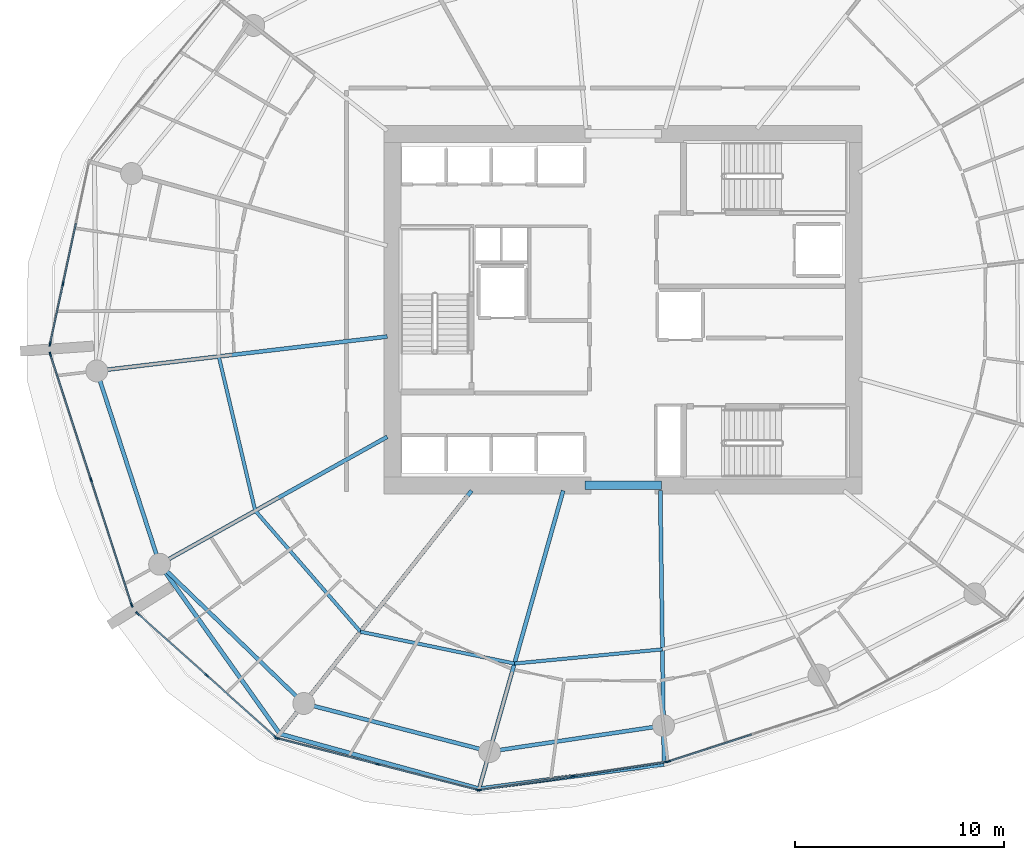
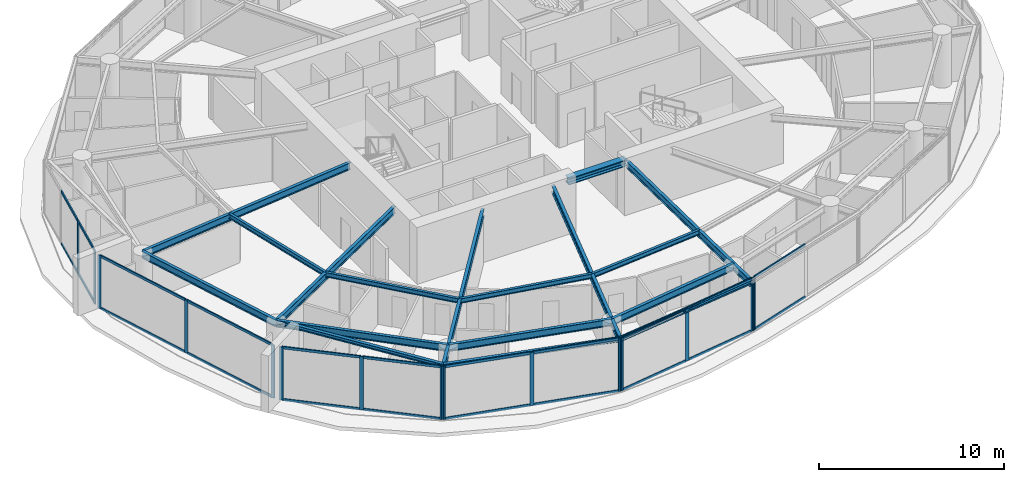
# One storey, part 5 of 17: 37 members, 17 beams, 6 elements without a shape of their own.
"""IFC4 building model written with IfcOpenShell, lengths in metres."""

from ifc_helpers import new_model, si_unit, direction, frame, origin, origin_2d, place, context, subcontext, project, spatial, rectangle, i_section, extrude, material, layer, layer_set, material_profile, profile_set, type_object, element, aggregate, save


model = new_model("IFC4")

# Units and contexts
model_context = context("Model", 3, precision=1e-05, world=origin(), true_north=direction((0.0, 1.0)))
body_context = subcontext(model_context, "Body", "Model", "MODEL_VIEW")
ifc_project = project(units=[si_unit("LENGTHUNIT", "METRE"), si_unit("AREAUNIT", "SQUARE_METRE"), si_unit("VOLUMEUNIT", "CUBIC_METRE"), si_unit("PLANEANGLEUNIT", "RADIAN"), si_unit("MASSUNIT", "GRAM", prefix="KILO")], contexts=[model_context])

# Site, building, storey
site_placement = place(None, origin())
site = spatial("IfcSite", under=ifc_project, at=site_placement, CompositionType="ELEMENT")
building_placement = place(site_placement, origin())
building = spatial("IfcBuilding", under=site, at=building_placement, Name="Kazma Halo Residences", CompositionType="ELEMENT")
storey_placement = place(building_placement, frame((0.0, 0.0, 127.800048828125)))
storey = spatial("IfcBuildingStorey", under=building, at=storey_placement, Name="L31", CompositionType="ELEMENT", Elevation=127.800048828125)

# Beams
ifc_material_1 = material(Name="Steel S355", Category="steel")
ifc_material_profile_1 = material_profile(ifc_material_1, i_section(OverallWidth=0.201904296875, OverallDepth=0.2470703125, WebThickness=0.00732421875, FlangeThickness=0.010986328125, FilletRadius=0.011962890625, at=origin_2d()), Name="W250x49.1")
ifc_profile_set_1 = profile_set([ifc_material_profile_1], Name="Steel S355")
beam_type_1 = type_object("IfcBeamType", Name="BM-BAL-CANT", PredefinedType="BEAM", material=ifc_profile_set_1)
beam_1_placement = place(storey_placement, frame((26.269775390625, 29.83056640625, 3.37646484375), z_axis=(0.578203432081, -0.81589263456, 0.0), x_axis=(0.81589263456, 0.578203432081, 0.0)))
element("IfcBeam", 1, at=beam_1_placement, inside=storey, type_object=beam_type_1, Name="L31 wave-balcony lead tie beam 09", PredefinedType="BEAM", context=body_context, shape_type="SweptSolid", body=[
    extrude(i_section(OverallWidth=0.201904296875, OverallDepth=0.2470703125, WebThickness=0.00732421875, FlangeThickness=0.010986328125, FilletRadius=0.011962890625, at=origin_2d()), origin(), (0.0, 0.0, 1.0), 9.9365234375),
])
beam_2_placement = place(storey_placement, frame((32.01513671875, 21.723388671875, 3.37646484375), z_axis=(0.964045237638, -0.265738179019, 0.0), x_axis=(0.265738179019, 0.964045237638, 0.0)))
element("IfcBeam", 2, at=beam_2_placement, inside=storey, type_object=beam_type_1, Name="L31 wave-balcony tie beam 10", PredefinedType="BEAM", context=body_context, shape_type="SweptSolid", body=[
    extrude(i_section(OverallWidth=0.201904296875, OverallDepth=0.2470703125, WebThickness=0.00732421875, FlangeThickness=0.010986328125, FilletRadius=0.011962890625, at=origin_2d()), origin(), (0.0, 0.0, 1.0), 9.880859375),
])
beam_3_placement = place(storey_placement, frame((41.540771484375, 19.09765625, 3.37646484375), z_axis=(0.991326402839, 0.13142284061, 0.0), x_axis=(-0.13142284061, 0.991326402839, 0.0)))
element("IfcBeam", 3, at=beam_3_placement, inside=storey, type_object=beam_type_1, Name="L31 wave-balcony tie beam 11", PredefinedType="BEAM", context=body_context, shape_type="SweptSolid", body=[
    extrude(i_section(OverallWidth=0.201904296875, OverallDepth=0.2470703125, WebThickness=0.00732421875, FlangeThickness=0.010986328125, FilletRadius=0.011962890625, at=origin_2d()), origin(), (0.0, 0.0, 1.0), 8.9150390625),
])
ifc_material_profile_2 = material_profile(ifc_material_1, i_section(OverallWidth=0.408935546875, OverallDepth=0.425048828125, WebThickness=0.03271484375, FlangeThickness=0.052490234375, FilletRadius=0.02001953125, at=origin_2d()), Name="W360x421")
ifc_profile_set_2 = profile_set([ifc_material_profile_2], Name="Steel S355")
beam_type_2 = type_object("IfcBeamType", Name="BM-CORE-W360H", PredefinedType="BEAM", material=ifc_profile_set_2)
beam_4_placement = place(storey_placement, frame((46.60009765625, 33.60009765625, 3.287353515625), z_axis=(1.0, 0.0, 0.0), x_axis=(0.0, 1.0, 0.0)))
element("IfcBeam", 4, at=beam_4_placement, inside=storey, type_object=beam_type_2, Name="L31 core coupling beam S", PredefinedType="BEAM", context=body_context, shape_type="SweptSolid", body=[
    extrude(i_section(OverallWidth=0.408935546875, OverallDepth=0.425048828125, WebThickness=0.03271484375, FlangeThickness=0.052490234375, FilletRadius=0.02001953125, at=origin_2d()), origin(), (0.0, 0.0, 1.0), 3.64990234375),
])
ifc_material_profile_3 = material_profile(ifc_material_1, i_section(OverallWidth=0.18994140625, OverallDepth=0.45703125, WebThickness=0.009033203125, FlangeThickness=0.014404296875, FilletRadius=0.01611328125, at=origin_2d()), Name="W460x74")
ifc_profile_set_3 = profile_set([ifc_material_profile_3], Name="Steel S355")
beam_type_3 = type_object("IfcBeamType", Name="BM-RAD-W460", PredefinedType="BEAM", material=ifc_profile_set_3)
beam_5_placement = place(storey_placement, frame((37.14990234375, 40.7158203125, 3.271484375), z_axis=(-0.993067267044, -0.117547450531, 0.0), x_axis=(0.117547450531, -0.993067267044, 0.0)))
element("IfcBeam", 5, at=beam_5_placement, inside=storey, type_object=beam_type_3, Name="L31 radial floor beam 08", PredefinedType="BEAM", context=body_context, shape_type="SweptSolid", body=[
    extrude(i_section(OverallWidth=0.18994140625, OverallDepth=0.45703125, WebThickness=0.009033203125, FlangeThickness=0.014404296875, FilletRadius=0.01611328125, at=origin_2d()), origin(), (0.0, 0.0, 1.0), 13.97998046875),
])
beam_6_placement = place(storey_placement, frame((37.14990234375, 35.923583984375, 3.271484375), z_axis=(-0.87250100809, -0.488612311431, 0.0), x_axis=(0.488612311431, -0.87250100809, 0.0)))
element("IfcBeam", 6, at=beam_6_placement, inside=storey, type_object=beam_type_3, Name="L31 radial floor beam 09", PredefinedType="BEAM", context=body_context, shape_type="SweptSolid", body=[
    extrude(i_section(OverallWidth=0.18994140625, OverallDepth=0.45703125, WebThickness=0.009033203125, FlangeThickness=0.014404296875, FilletRadius=0.01611328125, at=origin_2d()), origin(), (0.0, 0.0, 1.0), 12.469970703125),
])
beam_7_placement = place(storey_placement, frame((41.180908203125, 33.35009765625, 3.271484375), z_axis=(-0.619094498239, -0.785316498139, 0.0), x_axis=(0.785316498139, -0.619094498239, 0.0)))
element("IfcBeam", 7, at=beam_7_placement, inside=storey, type_object=beam_type_3, Name="L31 radial floor beam 10", PredefinedType="BEAM", context=body_context, shape_type="SweptSolid", body=[
    extrude(i_section(OverallWidth=0.18994140625, OverallDepth=0.45703125, WebThickness=0.009033203125, FlangeThickness=0.014404296875, FilletRadius=0.01611328125, at=origin_2d()), origin(), (0.0, 0.0, 1.0), 14.80517578125),
])
beam_8_placement = place(storey_placement, frame((45.560302734375, 33.35009765625, 3.271484375), z_axis=(-0.271435886816, -0.962456523355, 0.0), x_axis=(0.962456523355, -0.271435886816, 0.0)))
element("IfcBeam", 8, at=beam_8_placement, inside=storey, type_object=beam_type_3, Name="L31 radial floor beam 11", PredefinedType="BEAM", context=body_context, shape_type="SweptSolid", body=[
    extrude(i_section(OverallWidth=0.18994140625, OverallDepth=0.45703125, WebThickness=0.009033203125, FlangeThickness=0.014404296875, FilletRadius=0.01611328125, at=origin_2d()), origin(), (0.0, 0.0, 1.0), 14.808349609375),
])
beam_9_placement = place(storey_placement, frame((50.199951171875, 33.35009765625, 3.271484375), z_axis=(0.013642135434, -0.99990694174, 0.0), x_axis=(0.99990694174, 0.013642135434, 0.0)))
element("IfcBeam", 9, at=beam_9_placement, inside=storey, type_object=beam_type_3, Name="L31 radial floor beam 12", PredefinedType="BEAM", context=body_context, shape_type="SweptSolid", body=[
    extrude(i_section(OverallWidth=0.18994140625, OverallDepth=0.45703125, WebThickness=0.009033203125, FlangeThickness=0.014404296875, FilletRadius=0.01611328125, at=origin_2d()), origin(), (0.0, 0.0, 1.0), 13.08203125),
])
ifc_material_profile_4 = material_profile(ifc_material_1, i_section(OverallWidth=0.1650390625, OverallDepth=0.31005859375, WebThickness=0.005859375, FlangeThickness=0.009765625, FilletRadius=0.011962890625, at=origin_2d()), Name="W310x38.7")
ifc_profile_set_4 = profile_set([ifc_material_profile_4], Name="Steel S355")
beam_type_4 = type_object("IfcBeamType", Name="BM-SEC-W310B", PredefinedType="JOIST", material=ifc_profile_set_4)
beam_10_placement = place(storey_placement, frame((29.09765625, 39.7626953125, 3.344970703125), z_axis=(0.229897820601, -0.973214771817, 0.0), x_axis=(0.973214771817, 0.229897820601, 0.0)))
element("IfcBeam", 10, at=beam_10_placement, inside=storey, type_object=beam_type_4, Name="L31 circumferential floor joist 08", PredefinedType="JOIST", context=body_context, shape_type="SweptSolid", body=[
    extrude(i_section(OverallWidth=0.1650390625, OverallDepth=0.31005859375, WebThickness=0.005859375, FlangeThickness=0.009765625, FilletRadius=0.011962890625, at=origin_2d()), origin(), (0.0, 0.0, 1.0), 7.575927734375),
])
beam_11_placement = place(storey_placement, frame((30.83935546875, 32.3896484375, 3.344970703125), z_axis=(0.655935687589, -0.754816781575, 0.0), x_axis=(0.754816781575, 0.655935687589, 0.0)))
element("IfcBeam", 11, at=beam_11_placement, inside=storey, type_object=beam_type_4, Name="L31 circumferential floor joist 09", PredefinedType="JOIST", context=body_context, shape_type="SweptSolid", body=[
    extrude(i_section(OverallWidth=0.1650390625, OverallDepth=0.31005859375, WebThickness=0.005859375, FlangeThickness=0.009765625, FilletRadius=0.011962890625, at=origin_2d()), origin(), (0.0, 0.0, 1.0), 7.661376953125),
])
beam_12_placement = place(storey_placement, frame((35.86474609375, 26.606689453125, 3.344970703125), z_axis=(0.979272189631, -0.202548706773, 0.0), x_axis=(0.202548706773, 0.979272189631, 0.0)))
element("IfcBeam", 12, at=beam_12_placement, inside=storey, type_object=beam_type_4, Name="L31 circumferential floor joist 10", PredefinedType="JOIST", context=body_context, shape_type="SweptSolid", body=[
    extrude(i_section(OverallWidth=0.1650390625, OverallDepth=0.31005859375, WebThickness=0.005859375, FlangeThickness=0.009765625, FilletRadius=0.011962890625, at=origin_2d()), origin(), (0.0, 0.0, 1.0), 7.52001953125),
])
beam_13_placement = place(storey_placement, frame((43.22900390625, 25.08349609375, 3.344970703125), z_axis=(0.995416389983, 0.095635822539, 0.0), x_axis=(-0.095635822539, 0.995416389983, 0.0)))
element("IfcBeam", 13, at=beam_13_placement, inside=storey, type_object=beam_type_4, Name="L31 circumferential floor joist 11", PredefinedType="JOIST", context=body_context, shape_type="SweptSolid", body=[
    extrude(i_section(OverallWidth=0.1650390625, OverallDepth=0.31005859375, WebThickness=0.005859375, FlangeThickness=0.009765625, FilletRadius=0.011962890625, at=origin_2d()), origin(), (0.0, 0.0, 1.0), 7.10693359375),
])
ifc_material_profile_5 = material_profile(ifc_material_1, i_section(OverallWidth=0.18994140625, OverallDepth=0.45703125, WebThickness=0.009033203125, FlangeThickness=0.014404296875, FilletRadius=0.01611328125, at=origin_2d()), Name="W460x74")
ifc_profile_set_5 = profile_set([ifc_material_profile_5], Name="Steel S355")
beam_type_5 = type_object("IfcBeamType", Name="BM-SPN-W460", PredefinedType="BEAM", material=ifc_profile_set_5)
beam_14_placement = place(storey_placement, frame((23.266845703125, 39.072509765625, 3.271484375), z_axis=(0.309020741629, -0.95105529873, 0.0), x_axis=(0.95105529873, 0.309020741629, 0.0)))
element("IfcBeam", 14, at=beam_14_placement, inside=storey, type_object=beam_type_5, Name="L31 perimeter ring beam 08", PredefinedType="BEAM", context=body_context, shape_type="SweptSolid", body=[
    extrude(i_section(OverallWidth=0.18994140625, OverallDepth=0.45703125, WebThickness=0.009033203125, FlangeThickness=0.014404296875, FilletRadius=0.01611328125, at=origin_2d()), origin(), (0.0, 0.0, 1.0), 9.717529296875),
])
beam_15_placement = place(storey_placement, frame((26.269775390625, 29.83056640625, 3.271484375), z_axis=(0.719334705845, -0.694663645923, 0.0), x_axis=(0.694663645923, 0.719334705845, 0.0)))
element("IfcBeam", 15, at=beam_15_placement, inside=storey, type_object=beam_type_5, Name="L31 perimeter ring beam 09", PredefinedType="BEAM", context=body_context, shape_type="SweptSolid", body=[
    extrude(i_section(OverallWidth=0.18994140625, OverallDepth=0.45703125, WebThickness=0.009033203125, FlangeThickness=0.014404296875, FilletRadius=0.01611328125, at=origin_2d()), origin(), (0.0, 0.0, 1.0), 9.5791015625),
])
beam_16_placement = place(storey_placement, frame((33.160400390625, 23.17626953125, 3.271484375), z_axis=(0.968123664213, -0.250472694699, 0.0), x_axis=(0.250472694699, 0.968123664213, 0.0)))
element("IfcBeam", 16, at=beam_16_placement, inside=storey, type_object=beam_type_5, Name="L31 perimeter ring beam 10", PredefinedType="BEAM", context=body_context, shape_type="SweptSolid", body=[
    extrude(i_section(OverallWidth=0.18994140625, OverallDepth=0.45703125, WebThickness=0.009033203125, FlangeThickness=0.014404296875, FilletRadius=0.01611328125, at=origin_2d()), origin(), (0.0, 0.0, 1.0), 9.175048828125),
])
beam_17_placement = place(storey_placement, frame((42.04296875, 20.878173828125, 3.271484375), z_axis=(0.989037147603, 0.147666924735, 0.0), x_axis=(-0.147666924735, 0.989037147603, 0.0)))
element("IfcBeam", 17, at=beam_17_placement, inside=storey, type_object=beam_type_5, Name="L31 perimeter ring beam 11", PredefinedType="BEAM", context=body_context, shape_type="SweptSolid", body=[
    extrude(i_section(OverallWidth=0.18994140625, OverallDepth=0.45703125, WebThickness=0.009033203125, FlangeThickness=0.014404296875, FilletRadius=0.01611328125, at=origin_2d()), origin(), (0.0, 0.0, 1.0), 8.402099609375),
])

# Curtain wall, members
ifc_material_2 = material(Name="Aluminium AW-6063 T6 and Triple-Silver Low-E Glass", Category="aluminium")
ifc_layer = layer(ifc_material_2, 0.219970703125)
ifc_layer_set = layer_set([ifc_layer], Name="Aluminium AW-6063 T6 and Triple-Silver Low-E Glass")
curtain_wall_type = type_object("IfcCurtainWallType", Name="CW-SYS-4", PredefinedType="NOTDEFINED", material=ifc_layer_set)
curtain_wall_1_placement = place(storey_placement, origin())
curtain_wall_1 = element("IfcCurtainWall", 18, at=curtain_wall_1_placement, inside=storey, type_object=curtain_wall_type, Name="L31 unitised curtain wall B07", PredefinedType="NOTDEFINED")
ifc_material_3 = material(Name="Aluminium AW-6063 T6", Category="aluminium")
ifc_material_profile_6 = material_profile(ifc_material_3, rectangle(XDim=0.074951171875, YDim=0.219970703125, at=origin_2d()), Name="CWM-75x220")
ifc_profile_set_6 = profile_set([ifc_material_profile_6], Name="Aluminium AW-6063 T6")
member_type_1 = type_object("IfcMemberType", Name="CW-SYS-4-MUL", PredefinedType="MULLION", material=ifc_profile_set_6)
member_1_placement = place(storey_placement, frame((21.6513671875, 43.24365234375, 0.0), z_axis=(0.0, 0.0, 1.0), x_axis=(0.977764957684, -0.209703809037, 0.0)))
member_1 = element("IfcMember", 19, at=member_1_placement, type_object=member_type_1, Name="CWS-4 mullion 3", PredefinedType="MULLION", context=body_context, shape_type="SweptSolid", body=[
    extrude(rectangle(XDim=0.074951171875, YDim=0.219970703125, at=origin_2d()), origin(), (0.0, 0.0, 1.0), 3.5),
])
member_2_placement = place(storey_placement, frame((21.033447265625, 40.36328125, 0.0), z_axis=(0.0, 0.0, 1.0), x_axis=(0.977764957684, -0.209703809037, 0.0)))
member_2 = element("IfcMember", 20, at=member_2_placement, type_object=member_type_1, Name="CWS-4 mullion 4", PredefinedType="MULLION", context=body_context, shape_type="SweptSolid", body=[
    extrude(rectangle(XDim=0.074951171875, YDim=0.219970703125, at=origin_2d()), origin(), (0.0, 0.0, 1.0), 3.5),
])

curtain_wall_2_placement = place(storey_placement, origin())
curtain_wall_2 = element("IfcCurtainWall", 21, at=curtain_wall_2_placement, inside=storey, type_object=curtain_wall_type, Name="L31 unitised curtain wall B08", PredefinedType="NOTDEFINED")
member_3_placement = place(storey_placement, frame((21.044189453125, 39.86572265625, 0.0), z_axis=(0.0, 0.0, 1.0), x_axis=(0.951057547609, 0.3090138203, 0.0)))
member_3 = element("IfcMember", 22, at=member_3_placement, type_object=member_type_1, Name="CWS-4 mullion 1", PredefinedType="MULLION", context=body_context, shape_type="SweptSolid", body=[
    extrude(rectangle(XDim=0.074951171875, YDim=0.219970703125, at=origin_2d()), origin(), (0.0, 0.0, 1.0), 3.5),
])
member_4_placement = place(storey_placement, frame((22.990966796875, 33.8740234375, 0.0), z_axis=(0.0, 0.0, 1.0), x_axis=(0.951057547609, 0.3090138203, 0.0)))
member_4 = element("IfcMember", 23, at=member_4_placement, type_object=member_type_1, Name="CWS-4 mullion 2", PredefinedType="MULLION", context=body_context, shape_type="SweptSolid", body=[
    extrude(rectangle(XDim=0.074951171875, YDim=0.219970703125, at=origin_2d()), origin(), (0.0, 0.0, 1.0), 3.5),
])
member_5_placement = place(storey_placement, frame((24.937744140625, 27.882568359375, 0.0), z_axis=(0.0, 0.0, 1.0), x_axis=(0.951057547609, 0.3090138203, 0.0)))
member_5 = element("IfcMember", 24, at=member_5_placement, type_object=member_type_1, Name="CWS-4 mullion 3", PredefinedType="MULLION", context=body_context, shape_type="SweptSolid", body=[
    extrude(rectangle(XDim=0.074951171875, YDim=0.219970703125, at=origin_2d()), origin(), (0.0, 0.0, 1.0), 3.5),
])

curtain_wall_3_placement = place(storey_placement, origin())
curtain_wall_3 = element("IfcCurtainWall", 25, at=curtain_wall_3_placement, inside=storey, type_object=curtain_wall_type, Name="L31 unitised curtain wall B09", PredefinedType="NOTDEFINED")
member_6_placement = place(storey_placement, frame((25.221435546875, 27.4736328125, 0.0), z_axis=(0.0, 0.0, 1.0), x_axis=(0.667770096247, 0.744367582957, 0.0)))
member_6 = element("IfcMember", 26, at=member_6_placement, type_object=member_type_1, Name="CWS-4 mullion 1", PredefinedType="MULLION", context=body_context, shape_type="SweptSolid", body=[
    extrude(rectangle(XDim=0.074951171875, YDim=0.219970703125, at=origin_2d()), origin(), (0.0, 0.0, 1.0), 3.5),
])
member_7_placement = place(storey_placement, frame((28.52490234375, 24.51025390625, 0.0), z_axis=(0.0, 0.0, 1.0), x_axis=(0.667770096247, 0.744367582957, 0.0)))
member_7 = element("IfcMember", 27, at=member_7_placement, type_object=member_type_1, Name="CWS-4 mullion 2", PredefinedType="MULLION", context=body_context, shape_type="SweptSolid", body=[
    extrude(rectangle(XDim=0.074951171875, YDim=0.219970703125, at=origin_2d()), origin(), (0.0, 0.0, 1.0), 3.5),
])
member_8_placement = place(storey_placement, frame((31.828369140625, 21.546630859375, 0.0), z_axis=(0.0, 0.0, 1.0), x_axis=(0.667770096247, 0.744367582957, 0.0)))
member_8 = element("IfcMember", 28, at=member_8_placement, type_object=member_type_1, Name="CWS-4 mullion 3", PredefinedType="MULLION", context=body_context, shape_type="SweptSolid", body=[
    extrude(rectangle(XDim=0.074951171875, YDim=0.219970703125, at=origin_2d()), origin(), (0.0, 0.0, 1.0), 3.5),
])

curtain_wall_4_placement = place(storey_placement, origin())
curtain_wall_4 = element("IfcCurtainWall", 29, at=curtain_wall_4_placement, inside=storey, type_object=curtain_wall_type, Name="L31 unitised curtain wall B10", PredefinedType="NOTDEFINED")
member_9_placement = place(storey_placement, frame((31.892578125, 21.512451171875, 0.0), z_axis=(0.0, 0.0, 1.0), x_axis=(0.249478648955, 0.968380299116, 0.0)))
member_9 = element("IfcMember", 30, at=member_9_placement, type_object=member_type_1, Name="CWS-4 mullion 1", PredefinedType="MULLION", context=body_context, shape_type="SweptSolid", body=[
    extrude(rectangle(XDim=0.074951171875, YDim=0.219970703125, at=origin_2d()), origin(), (0.0, 0.0, 1.0), 3.5),
])
member_10_placement = place(storey_placement, frame((36.689208984375, 20.276611328125, 0.0), z_axis=(0.0, 0.0, 1.0), x_axis=(0.249478648955, 0.968380299116, 0.0)))
member_10 = element("IfcMember", 31, at=member_10_placement, type_object=member_type_1, Name="CWS-4 mullion 2", PredefinedType="MULLION", context=body_context, shape_type="SweptSolid", body=[
    extrude(rectangle(XDim=0.074951171875, YDim=0.219970703125, at=origin_2d()), origin(), (0.0, 0.0, 1.0), 3.5),
])
member_11_placement = place(storey_placement, frame((41.48583984375, 19.040771484375, 0.0), z_axis=(0.0, 0.0, 1.0), x_axis=(0.249478648955, 0.968380299116, 0.0)))
member_11 = element("IfcMember", 32, at=member_11_placement, type_object=member_type_1, Name="CWS-4 mullion 3", PredefinedType="MULLION", context=body_context, shape_type="SweptSolid", body=[
    extrude(rectangle(XDim=0.074951171875, YDim=0.219970703125, at=origin_2d()), origin(), (0.0, 0.0, 1.0), 3.5),
])

curtain_wall_5_placement = place(storey_placement, origin())
curtain_wall_5 = element("IfcCurtainWall", 33, at=curtain_wall_5_placement, inside=storey, type_object=curtain_wall_type, Name="L31 unitised curtain wall B11", PredefinedType="NOTDEFINED")
member_12_placement = place(storey_placement, frame((41.559326171875, 19.037109375, 0.0), z_axis=(0.0, 0.0, 1.0), x_axis=(-0.148821022686, 0.988864148004, 0.0)))
member_12 = element("IfcMember", 34, at=member_12_placement, type_object=member_type_1, Name="CWS-4 mullion 1", PredefinedType="MULLION", context=body_context, shape_type="SweptSolid", body=[
    extrude(rectangle(XDim=0.074951171875, YDim=0.219970703125, at=origin_2d()), origin(), (0.0, 0.0, 1.0), 3.5),
])
member_13_placement = place(storey_placement, frame((46.039794921875, 19.71142578125, 0.0), z_axis=(0.0, 0.0, 1.0), x_axis=(-0.148821022686, 0.988864148004, 0.0)))
member_13 = element("IfcMember", 35, at=member_13_placement, type_object=member_type_1, Name="CWS-4 mullion 2", PredefinedType="MULLION", context=body_context, shape_type="SweptSolid", body=[
    extrude(rectangle(XDim=0.074951171875, YDim=0.219970703125, at=origin_2d()), origin(), (0.0, 0.0, 1.0), 3.5),
])
member_14_placement = place(storey_placement, frame((50.5205078125, 20.3857421875, 0.0), z_axis=(0.0, 0.0, 1.0), x_axis=(-0.148821022686, 0.988864148004, 0.0)))
member_14 = element("IfcMember", 36, at=member_14_placement, type_object=member_type_1, Name="CWS-4 mullion 3", PredefinedType="MULLION", context=body_context, shape_type="SweptSolid", body=[
    extrude(rectangle(XDim=0.074951171875, YDim=0.219970703125, at=origin_2d()), origin(), (0.0, 0.0, 1.0), 3.5),
])

# Curtain wall, member
curtain_wall_6_placement = place(storey_placement, origin())
curtain_wall_6 = element("IfcCurtainWall", 37, at=curtain_wall_6_placement, inside=storey, type_object=curtain_wall_type, Name="L31 unitised curtain wall B12", PredefinedType="NOTDEFINED")
member_15_placement = place(storey_placement, frame((50.59326171875, 20.40283203125, 0.0), z_axis=(0.0, 0.0, 1.0), x_axis=(-0.309017358807, 0.951056397884, 0.0)))
member_15 = element("IfcMember", 38, at=member_15_placement, type_object=member_type_1, Name="CWS-4 mullion 1", PredefinedType="MULLION", context=body_context, shape_type="SweptSolid", body=[
    extrude(rectangle(XDim=0.074951171875, YDim=0.219970703125, at=origin_2d()), origin(), (0.0, 0.0, 1.0), 3.5),
])

# Member
ifc_material_profile_7 = material_profile(ifc_material_3, rectangle(XDim=0.074951171875, YDim=0.1650390625, at=origin_2d()), Name="CWT-75x165")
ifc_profile_set_7 = profile_set([ifc_material_profile_7], Name="Aluminium AW-6063 T6")
member_type_2 = type_object("IfcMemberType", Name="CW-SYS-4-TRN", PredefinedType="USERDEFINED", material=ifc_profile_set_7)
member_16_placement = place(storey_placement, frame((22.26904296875, 46.124267578125, 0.037353515625), z_axis=(-0.209689601293, -0.977768004748, 0.0), x_axis=(0.977768004748, -0.209689601293, 0.0)))
member_16 = element("IfcMember", 39, at=member_16_placement, type_object=member_type_2, Name="CWS-4 transom 2.1", ObjectType="TRANSOM", PredefinedType="USERDEFINED", context=body_context, shape_type="SweptSolid", body=[
    extrude(rectangle(XDim=0.074951171875, YDim=0.1650390625, at=origin_2d()), origin(), (0.0, 0.0, 1.0), 2.908447265625),
])

member_17_placement = place(storey_placement, frame((22.26904296875, 46.124267578125, 3.46240234375), z_axis=(-0.209689601293, -0.977768004748, 0.0), x_axis=(0.977768004748, -0.209689601293, 0.0)))
member_17 = element("IfcMember", 40, at=member_17_placement, type_object=member_type_2, Name="CWS-4 transom 2.2", ObjectType="TRANSOM", PredefinedType="USERDEFINED", context=body_context, shape_type="SweptSolid", body=[
    extrude(rectangle(XDim=0.074951171875, YDim=0.1650390625, at=origin_2d()), origin(), (0.0, 0.0, 1.0), 2.908447265625),
])

member_18_placement = place(storey_placement, frame((21.643310546875, 43.20703125, 0.037353515625), z_axis=(-0.209703309269, -0.977765064871, 0.0), x_axis=(0.977765064871, -0.209703309269, 0.0)))
member_18 = element("IfcMember", 41, at=member_18_placement, type_object=member_type_2, Name="CWS-4 transom 3.1", ObjectType="TRANSOM", PredefinedType="USERDEFINED", context=body_context, shape_type="SweptSolid", body=[
    extrude(rectangle(XDim=0.074951171875, YDim=0.1650390625, at=origin_2d()), origin(), (0.0, 0.0, 1.0), 2.870849609375),
])

member_19_placement = place(storey_placement, frame((21.643310546875, 43.20703125, 3.46240234375), z_axis=(-0.209703309269, -0.977765064871, 0.0), x_axis=(0.977765064871, -0.209703309269, 0.0)))
member_19 = element("IfcMember", 42, at=member_19_placement, type_object=member_type_2, Name="CWS-4 transom 3.2", ObjectType="TRANSOM", PredefinedType="USERDEFINED", context=body_context, shape_type="SweptSolid", body=[
    extrude(rectangle(XDim=0.074951171875, YDim=0.1650390625, at=origin_2d()), origin(), (0.0, 0.0, 1.0), 2.870849609375),
])

aggregate(curtain_wall_1, [member_1, member_2, member_16, member_17, member_18, member_19])

member_20_placement = place(storey_placement, frame((21.0556640625, 39.830078125, 0.037353515625), z_axis=(0.309006258762, -0.95106000444, 0.0), x_axis=(0.95106000444, 0.309006258762, 0.0)))
member_20 = element("IfcMember", 43, at=member_20_placement, type_object=member_type_2, Name="CWS-4 transom 1.1", ObjectType="TRANSOM", PredefinedType="USERDEFINED", context=body_context, shape_type="SweptSolid", body=[
    extrude(rectangle(XDim=0.074951171875, YDim=0.1650390625, at=origin_2d()), origin(), (0.0, 0.0, 1.0), 6.22509765625),
])

member_21_placement = place(storey_placement, frame((21.0556640625, 39.830078125, 3.46240234375), z_axis=(0.309006258762, -0.95106000444, 0.0), x_axis=(0.95106000444, 0.309006258762, 0.0)))
member_21 = element("IfcMember", 44, at=member_21_placement, type_object=member_type_2, Name="CWS-4 transom 1.2", ObjectType="TRANSOM", PredefinedType="USERDEFINED", context=body_context, shape_type="SweptSolid", body=[
    extrude(rectangle(XDim=0.074951171875, YDim=0.1650390625, at=origin_2d()), origin(), (0.0, 0.0, 1.0), 6.22509765625),
])

member_22_placement = place(storey_placement, frame((23.00244140625, 33.83837890625, 0.037353515625), z_axis=(0.309017784977, -0.951056259413, 0.0), x_axis=(0.951056259413, 0.309017784977, 0.0)))
member_22 = element("IfcMember", 45, at=member_22_placement, type_object=member_type_2, Name="CWS-4 transom 2.1", ObjectType="TRANSOM", PredefinedType="USERDEFINED", context=body_context, shape_type="SweptSolid", body=[
    extrude(rectangle(XDim=0.074951171875, YDim=0.1650390625, at=origin_2d()), origin(), (0.0, 0.0, 1.0), 6.224853515625),
])

member_23_placement = place(storey_placement, frame((23.00244140625, 33.83837890625, 3.46240234375), z_axis=(0.309017784977, -0.951056259413, 0.0), x_axis=(0.951056259413, 0.309017784977, 0.0)))
member_23 = element("IfcMember", 46, at=member_23_placement, type_object=member_type_2, Name="CWS-4 transom 2.2", ObjectType="TRANSOM", PredefinedType="USERDEFINED", context=body_context, shape_type="SweptSolid", body=[
    extrude(rectangle(XDim=0.074951171875, YDim=0.1650390625, at=origin_2d()), origin(), (0.0, 0.0, 1.0), 6.224853515625),
])

aggregate(curtain_wall_2, [member_3, member_4, member_5, member_20, member_21, member_22, member_23])

member_24_placement = place(storey_placement, frame((25.24951171875, 27.44873046875, 0.037353515625), z_axis=(0.744344978888, -0.66779529229, 0.0), x_axis=(0.66779529229, 0.744344978888, 0.0)))
member_24 = element("IfcMember", 47, at=member_24_placement, type_object=member_type_2, Name="CWS-4 transom 1.1", ObjectType="TRANSOM", PredefinedType="USERDEFINED", context=body_context, shape_type="SweptSolid", body=[
    extrude(rectangle(XDim=0.074951171875, YDim=0.1650390625, at=origin_2d()), origin(), (0.0, 0.0, 1.0), 4.363037109375),
])

member_25_placement = place(storey_placement, frame((25.24951171875, 27.44873046875, 3.46240234375), z_axis=(0.744344978888, -0.66779529229, 0.0), x_axis=(0.66779529229, 0.744344978888, 0.0)))
member_25 = element("IfcMember", 48, at=member_25_placement, type_object=member_type_2, Name="CWS-4 transom 1.2", ObjectType="TRANSOM", PredefinedType="USERDEFINED", context=body_context, shape_type="SweptSolid", body=[
    extrude(rectangle(XDim=0.074951171875, YDim=0.1650390625, at=origin_2d()), origin(), (0.0, 0.0, 1.0), 4.363037109375),
])

member_26_placement = place(storey_placement, frame((28.552734375, 24.485107421875, 0.037353515625), z_axis=(0.744372794017, -0.667764287401, 0.0), x_axis=(0.667764287401, 0.744372794017, 0.0)))
member_26 = element("IfcMember", 49, at=member_26_placement, type_object=member_type_2, Name="CWS-4 transom 2.1", ObjectType="TRANSOM", PredefinedType="USERDEFINED", context=body_context, shape_type="SweptSolid", body=[
    extrude(rectangle(XDim=0.074951171875, YDim=0.1650390625, at=origin_2d()), origin(), (0.0, 0.0, 1.0), 4.36279296875),
])

member_27_placement = place(storey_placement, frame((28.552734375, 24.485107421875, 3.46240234375), z_axis=(0.744372794017, -0.667764287401, 0.0), x_axis=(0.667764287401, 0.744372794017, 0.0)))
member_27 = element("IfcMember", 50, at=member_27_placement, type_object=member_type_2, Name="CWS-4 transom 2.2", ObjectType="TRANSOM", PredefinedType="USERDEFINED", context=body_context, shape_type="SweptSolid", body=[
    extrude(rectangle(XDim=0.074951171875, YDim=0.1650390625, at=origin_2d()), origin(), (0.0, 0.0, 1.0), 4.36279296875),
])

aggregate(curtain_wall_3, [member_6, member_7, member_8, member_24, member_25, member_26, member_27])

member_28_placement = place(storey_placement, frame((31.9287109375, 21.5029296875, 0.037353515625), z_axis=(0.968380749411, -0.249476901076, 0.0), x_axis=(0.249476901076, 0.968380749411, 0.0)))
member_28 = element("IfcMember", 51, at=member_28_placement, type_object=member_type_2, Name="CWS-4 transom 1.1", ObjectType="TRANSOM", PredefinedType="USERDEFINED", context=body_context, shape_type="SweptSolid", body=[
    extrude(rectangle(XDim=0.074951171875, YDim=0.1650390625, at=origin_2d()), origin(), (0.0, 0.0, 1.0), 4.87841796875),
])

member_29_placement = place(storey_placement, frame((31.9287109375, 21.5029296875, 3.46240234375), z_axis=(0.968380749411, -0.249476901076, 0.0), x_axis=(0.249476901076, 0.968380749411, 0.0)))
member_29 = element("IfcMember", 52, at=member_29_placement, type_object=member_type_2, Name="CWS-4 transom 1.2", ObjectType="TRANSOM", PredefinedType="USERDEFINED", context=body_context, shape_type="SweptSolid", body=[
    extrude(rectangle(XDim=0.074951171875, YDim=0.1650390625, at=origin_2d()), origin(), (0.0, 0.0, 1.0), 4.87841796875),
])

member_30_placement = place(storey_placement, frame((36.7255859375, 20.267333984375, 0.037353515625), z_axis=(0.968377634415, -0.24948899207, 0.0), x_axis=(0.24948899207, 0.968377634415, 0.0)))
member_30 = element("IfcMember", 53, at=member_30_placement, type_object=member_type_2, Name="CWS-4 transom 2.1", ObjectType="TRANSOM", PredefinedType="USERDEFINED", context=body_context, shape_type="SweptSolid", body=[
    extrude(rectangle(XDim=0.074951171875, YDim=0.1650390625, at=origin_2d()), origin(), (0.0, 0.0, 1.0), 4.878173828125),
])

member_31_placement = place(storey_placement, frame((36.7255859375, 20.267333984375, 3.46240234375), z_axis=(0.968377634415, -0.24948899207, 0.0), x_axis=(0.24948899207, 0.968377634415, 0.0)))
member_31 = element("IfcMember", 54, at=member_31_placement, type_object=member_type_2, Name="CWS-4 transom 2.2", ObjectType="TRANSOM", PredefinedType="USERDEFINED", context=body_context, shape_type="SweptSolid", body=[
    extrude(rectangle(XDim=0.074951171875, YDim=0.1650390625, at=origin_2d()), origin(), (0.0, 0.0, 1.0), 4.878173828125),
])

aggregate(curtain_wall_4, [member_9, member_10, member_11, member_28, member_29, member_30, member_31])

member_32_placement = place(storey_placement, frame((41.596435546875, 19.042724609375, 0.037353515625), z_axis=(0.988866721231, 0.148803923478, 0.0), x_axis=(-0.148803923478, 0.988866721231, 0.0)))
member_32 = element("IfcMember", 55, at=member_32_placement, type_object=member_type_2, Name="CWS-4 transom 1.1", ObjectType="TRANSOM", PredefinedType="USERDEFINED", context=body_context, shape_type="SweptSolid", body=[
    extrude(rectangle(XDim=0.074951171875, YDim=0.1650390625, at=origin_2d()), origin(), (0.0, 0.0, 1.0), 4.4560546875),
])

member_33_placement = place(storey_placement, frame((41.596435546875, 19.042724609375, 3.46240234375), z_axis=(0.988866721231, 0.148803923478, 0.0), x_axis=(-0.148803923478, 0.988866721231, 0.0)))
member_33 = element("IfcMember", 56, at=member_33_placement, type_object=member_type_2, Name="CWS-4 transom 1.2", ObjectType="TRANSOM", PredefinedType="USERDEFINED", context=body_context, shape_type="SweptSolid", body=[
    extrude(rectangle(XDim=0.074951171875, YDim=0.1650390625, at=origin_2d()), origin(), (0.0, 0.0, 1.0), 4.4560546875),
])

member_34_placement = place(storey_placement, frame((46.076904296875, 19.717041015625, 0.037353515625), z_axis=(0.988866721231, 0.148803923478, 0.0), x_axis=(-0.148803923478, 0.988866721231, 0.0)))
member_34 = element("IfcMember", 57, at=member_34_placement, type_object=member_type_2, Name="CWS-4 transom 2.1", ObjectType="TRANSOM", PredefinedType="USERDEFINED", context=body_context, shape_type="SweptSolid", body=[
    extrude(rectangle(XDim=0.074951171875, YDim=0.1650390625, at=origin_2d()), origin(), (0.0, 0.0, 1.0), 4.4560546875),
])

member_35_placement = place(storey_placement, frame((46.076904296875, 19.717041015625, 3.46240234375), z_axis=(0.988866721231, 0.148803923478, 0.0), x_axis=(-0.148803923478, 0.988866721231, 0.0)))
member_35 = element("IfcMember", 58, at=member_35_placement, type_object=member_type_2, Name="CWS-4 transom 2.2", ObjectType="TRANSOM", PredefinedType="USERDEFINED", context=body_context, shape_type="SweptSolid", body=[
    extrude(rectangle(XDim=0.074951171875, YDim=0.1650390625, at=origin_2d()), origin(), (0.0, 0.0, 1.0), 4.4560546875),
])

aggregate(curtain_wall_5, [member_12, member_13, member_14, member_32, member_33, member_34, member_35])

member_36_placement = place(storey_placement, frame((50.62890625, 20.41455078125, 0.037353515625), z_axis=(0.951071831822, 0.308969854055, 0.0), x_axis=(-0.308969854055, 0.951071831822, 0.0)))
member_36 = element("IfcMember", 59, at=member_36_placement, type_object=member_type_2, Name="CWS-4 transom 1.1", ObjectType="TRANSOM", PredefinedType="USERDEFINED", context=body_context, shape_type="SweptSolid", body=[
    extrude(rectangle(XDim=0.074951171875, YDim=0.1650390625, at=origin_2d()), origin(), (0.0, 0.0, 1.0), 4.132568359375),
])

member_37_placement = place(storey_placement, frame((50.62890625, 20.41455078125, 3.46240234375), z_axis=(0.951071831822, 0.308969854055, 0.0), x_axis=(-0.308969854055, 0.951071831822, 0.0)))
member_37 = element("IfcMember", 60, at=member_37_placement, type_object=member_type_2, Name="CWS-4 transom 1.2", ObjectType="TRANSOM", PredefinedType="USERDEFINED", context=body_context, shape_type="SweptSolid", body=[
    extrude(rectangle(XDim=0.074951171875, YDim=0.1650390625, at=origin_2d()), origin(), (0.0, 0.0, 1.0), 4.132568359375),
])

aggregate(curtain_wall_6, [member_15, member_36, member_37])

save(model, "model.ifc")
